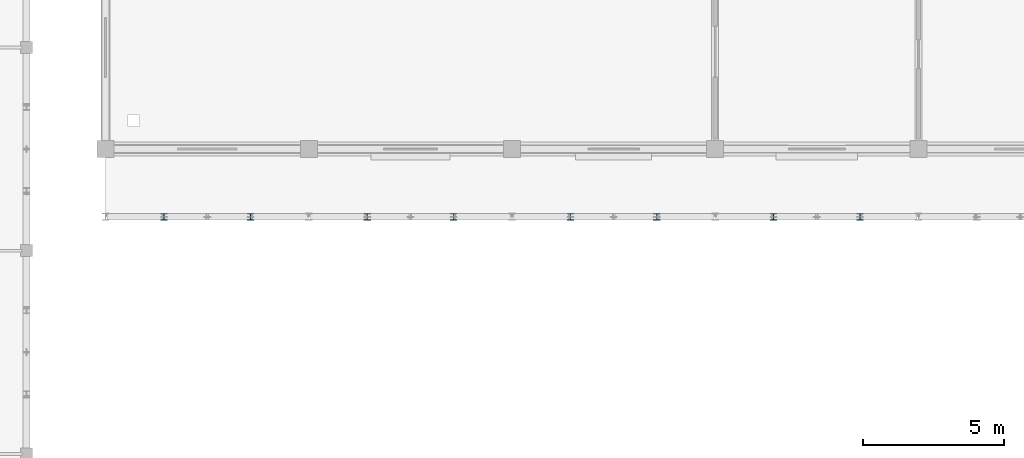
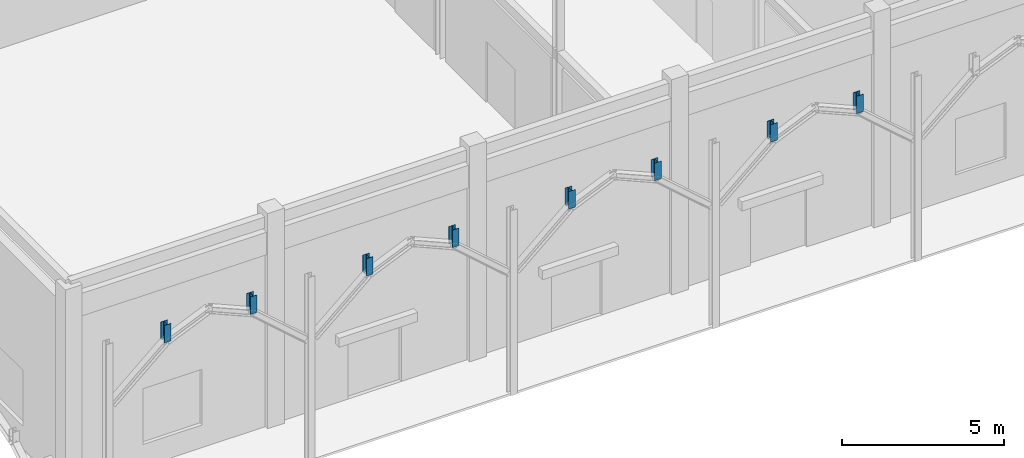
# One storey, part 37 of 138: 8 members.
"""IFC4 building model written with IfcOpenShell, lengths in metres."""

from ifc_helpers import new_model, si_unit, direction, frame, origin, origin_2d, place, context, subcontext, project, spatial, i_section, extrude, material, material_profile, profile_set, type_object, element, save


model = new_model("IFC4")

# Units and contexts
model_context = context("Model", 3, precision=1e-05, world=origin(), true_north=direction((0.0, 1.0)))
body_context = subcontext(model_context, "Body", "Model", "MODEL_VIEW")
ifc_project = project(units=[si_unit("LENGTHUNIT", "METRE"), si_unit("AREAUNIT", "SQUARE_METRE"), si_unit("VOLUMEUNIT", "CUBIC_METRE"), si_unit("PLANEANGLEUNIT", "RADIAN"), si_unit("MASSUNIT", "GRAM", prefix="KILO"), si_unit("THERMODYNAMICTEMPERATUREUNIT", "KELVIN"), si_unit("POWERUNIT", "WATT")], contexts=[model_context])

# Site, building, storey
site_placement = place(None, origin())
site = spatial("IfcSite", under=ifc_project, at=site_placement, CompositionType="ELEMENT")
building_placement = place(site_placement, origin())
building = spatial("IfcBuilding", under=site, at=building_placement, Name="Tavuni Mirador Residences", CompositionType="ELEMENT")
storey_placement = place(building_placement, origin())
storey = spatial("IfcBuildingStorey", under=building, at=storey_placement, Name="L00", CompositionType="ELEMENT", Elevation=0.0)

# Members
ifc_material = material(Name="Structural steel S355", Category="steel")
ifc_material_profile = material_profile(ifc_material, i_section(OverallWidth=0.239990234375, OverallDepth=0.22998046875, WebThickness=0.007568359375, FlangeThickness=0.011962890625, FilletRadius=0.02099609375, at=origin_2d()), Name="HEA 240", Category="steel")
ifc_profile_set = profile_set([ifc_material_profile], Name="Structural steel S355")
member_type = type_object("IfcMemberType", Name="MT-CH-HEA240", PredefinedType="CHORD", material=ifc_profile_set)
for number, where, z_axis, x_axis, name in (
    (1, (41.668701171875, 69.60009765625, 6.301513671875), (0.0, 0.0, 1.0), (1.0, 0.0, 0.0), "ARCH-HALL-S-00-V1"),
    (2, (44.731201171875, 69.60009765625, 6.301513671875), (0.0, 0.0, 1.0), (1.0, 0.0, 0.0), "ARCH-HALL-S-00-V2"),
    (3, (48.868896484375, 69.60009765625, 6.301513671875), (0.0, 0.0, 1.0), (1.0, 0.0, 0.0), "ARCH-HALL-S-01-V1"),
    (4, (51.93115234375, 69.60009765625, 6.301513671875), (0.0, 0.0, 1.0), (1.0, 0.0, 0.0), "ARCH-HALL-S-01-V2"),
    (5, (56.06884765625, 69.60009765625, 6.301513671875), (0.0, 0.0, 1.0), (1.0, 0.0, 0.0), "ARCH-HALL-S-02-V1"),
    (6, (59.131103515625, 69.60009765625, 6.301513671875), (0.0, 0.0, 1.0), (1.0, 0.0, 0.0), "ARCH-HALL-S-02-V2"),
    (7, (63.268798828125, 69.60009765625, 6.301513671875), (0.0, 0.0, 1.0), (1.0, 0.0, 0.0), "ARCH-HALL-S-03-V1"),
    (8, (66.331298828125, 69.60009765625, 6.301513671875), (0.0, 0.0, 1.0), (1.0, 0.0, 0.0), "ARCH-HALL-S-03-V2"),
):
    element("IfcMember", number, at=place(storey_placement, frame(where, z_axis=z_axis, x_axis=x_axis)), inside=storey, type_object=member_type, Name=name, PredefinedType="CHORD", context=body_context, shape_type="SweptSolid", body=[
        extrude(i_section(OverallWidth=0.239990234375, OverallDepth=0.22998046875, WebThickness=0.007568359375, FlangeThickness=0.011962890625, FilletRadius=0.02099609375, at=origin_2d()), origin(), (0.0, 0.0, 1.0), 0.661865234375),
    ])

save(model, "model.ifc")
